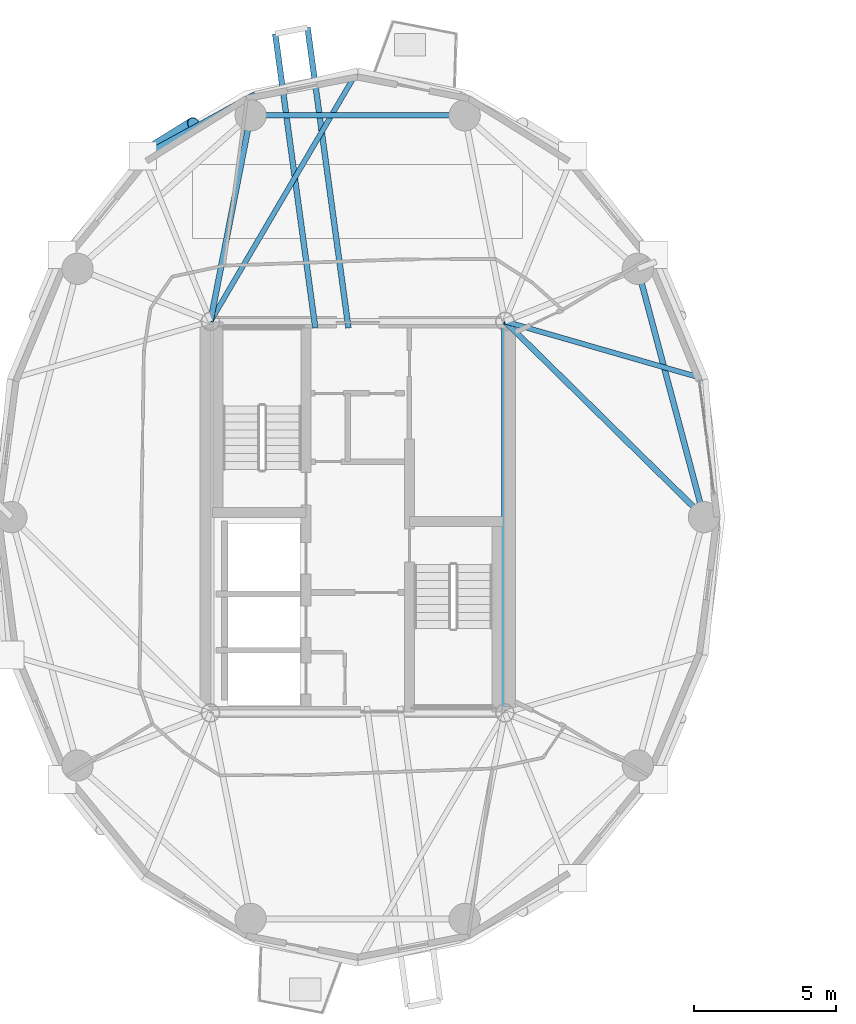
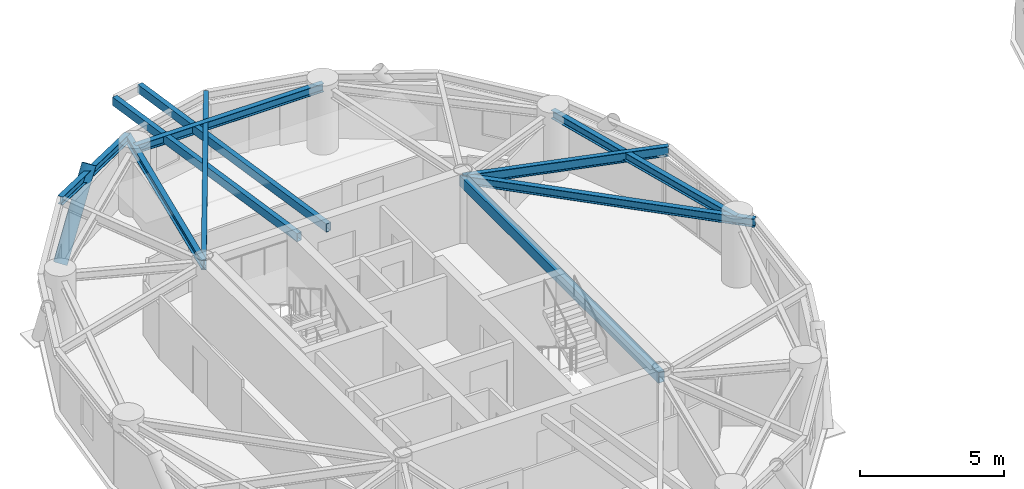
# One storey, part 2 of 16: 10 beams, 1 member.
"""IFC4 building model written with IfcOpenShell, lengths in metres."""

from ifc_helpers import new_model, si_unit, direction, frame, origin, origin_2d, place, context, subcontext, project, spatial, hollow_rectangle, hollow_circle, i_section, extrude, material, material_profile, profile_set, type_object, element, save


model = new_model("IFC4")

# Units and contexts
model_context = context("Model", 3, precision=1e-05, world=origin(), true_north=direction((0.0, 1.0)))
body_context = subcontext(model_context, "Body", "Model", "MODEL_VIEW")
ifc_project = project(units=[si_unit("LENGTHUNIT", "METRE"), si_unit("AREAUNIT", "SQUARE_METRE"), si_unit("VOLUMEUNIT", "CUBIC_METRE"), si_unit("PLANEANGLEUNIT", "RADIAN"), si_unit("MASSUNIT", "GRAM", prefix="KILO")], contexts=[model_context])

# Site, building, storey
site_placement = place(None, origin())
site = spatial("IfcSite", under=ifc_project, at=site_placement, CompositionType="ELEMENT")
building_placement = place(site_placement, origin())
building = spatial("IfcBuilding", under=site, at=building_placement, Name="Cununo Teusaquillo Station Towers", CompositionType="ELEMENT")
storey_placement = place(building_placement, frame((0.0, 0.0, 196.659912109375)))
storey = spatial("IfcBuildingStorey", under=building, at=storey_placement, Name="L62", CompositionType="ELEMENT", Elevation=196.659912109375)

# Beams
ifc_material_1 = material(Name="Steel EN 10025-2 S355J2", Category="steel")
ifc_material_profile_1 = material_profile(ifc_material_1, hollow_rectangle(XDim=0.199951171875, YDim=0.35009765625, WallThickness=0.013916015625, at=origin_2d()), Name="RHS 350x200x14")
ifc_profile_set_1 = profile_set([ifc_material_profile_1], Name="Steel EN 10025-2 S355J2")
beam_type_1 = type_object("IfcBeamType", Name="BM-BAL-CANT", PredefinedType="BEAM", material=ifc_profile_set_1)
beam_1_placement = place(storey_placement, frame((16.177001953125, 31.14990234375, 2.525146484375), z_axis=(-0.135006880627, 0.990844660975, 0.0), x_axis=(-0.990844660975, -0.135006880627, 0.0)))
element("IfcBeam", 1, at=beam_1_placement, inside=storey, type_object=beam_type_1, Name="L62 Tower A Balcony Cantilever Bracket 1A", PredefinedType="BEAM", context=body_context, shape_type="SweptSolid", body=[
    extrude(hollow_rectangle(XDim=0.199951171875, YDim=0.35009765625, WallThickness=0.013916015625, at=origin_2d()), origin(), (0.0, 0.0, 1.0), 10.65673828125),
])
beam_2_placement = place(storey_placement, frame((15.0107421875, 31.14990234375, 2.525146484375), z_axis=(-0.135018196505, 0.990843119072, 0.0), x_axis=(-0.990843119072, -0.135018196505, 0.0)))
element("IfcBeam", 2, at=beam_2_placement, inside=storey, type_object=beam_type_1, Name="L62 Tower A Balcony Cantilever Bracket 1B", PredefinedType="BEAM", context=body_context, shape_type="SweptSolid", body=[
    extrude(hollow_rectangle(XDim=0.199951171875, YDim=0.35009765625, WallThickness=0.013916015625, at=origin_2d()), origin(), (0.0, 0.0, 1.0), 10.43505859375),
])
ifc_material_2 = material(Name="Steel EN 10025-2 S355J2", Category="steel")
ifc_material_profile_2 = material_profile(ifc_material_2, hollow_rectangle(XDim=0.25, YDim=0.449951171875, WallThickness=0.01611328125, at=origin_2d()), Name="RHS 450x250x16")
ifc_profile_set_2 = profile_set([ifc_material_profile_2], Name="Steel EN 10025-2 S355J2")
beam_type_2 = type_object("IfcBeamType", Name="BM-COUP-1", PredefinedType="USERDEFINED", material=ifc_profile_set_2)
beam_3_placement = place(storey_placement, frame((21.675048828125, 17.6201171875, 2.47509765625), z_axis=(0.0, 1.0, 0.0), x_axis=(-1.0, 0.0, 0.0)))
element("IfcBeam", 3, at=beam_3_placement, inside=storey, type_object=beam_type_2, Name="L62 Tower A Core Beam 2", ObjectType="COUPLING BEAM", PredefinedType="USERDEFINED", context=body_context, shape_type="SweptSolid", body=[
    extrude(hollow_rectangle(XDim=0.25, YDim=0.449951171875, WallThickness=0.01611328125, at=origin_2d()), origin(), (0.0, 0.0, 1.0), 13.759765625),
])
ifc_material_3 = material(Name="Steel ASTM A572 Grade 50", Category="steel")
ifc_material_profile_3 = material_profile(ifc_material_3, i_section(OverallWidth=0.180908203125, OverallDepth=0.4169921875, WebThickness=0.010986328125, FlangeThickness=0.018310546875, FilletRadius=0.012939453125, at=origin_2d()), Name="W16X57")
ifc_profile_set_3 = profile_set([ifc_material_profile_3], Name="Steel ASTM A572 Grade 50")
beam_type_3 = type_object("IfcBeamType", Name="BM-JOIST-1", PredefinedType="JOIST", material=ifc_profile_set_3)
beam_4_placement = place(storey_placement, frame((21.675048828125, 31.3798828125, 2.49169921875), z_axis=(0.960861603375, -0.277028841748, 0.0), x_axis=(0.277028841748, 0.960861603375, 0.0)))
element("IfcBeam", 4, at=beam_4_placement, inside=storey, type_object=beam_type_3, Name="L62 Tower A Radial Spandrel Joist V01", PredefinedType="JOIST", context=body_context, shape_type="SweptSolid", body=[
    extrude(i_section(OverallWidth=0.180908203125, OverallDepth=0.4169921875, WebThickness=0.010986328125, FlangeThickness=0.018310546875, FilletRadius=0.012939453125, at=origin_2d()), origin(), (0.0, 0.0, 1.0), 7.333251953125),
])
beam_5_placement = place(storey_placement, frame((11.324951171875, 31.3798828125, 2.49169921875), z_axis=(0.506486432091, 0.862247930765, 0.0), x_axis=(-0.862247930765, 0.506486432091, 0.0)))
element("IfcBeam", 5, at=beam_5_placement, inside=storey, type_object=beam_type_3, Name="L62 Tower A Radial Spandrel Joist V05", PredefinedType="JOIST", context=body_context, shape_type="SweptSolid", body=[
    extrude(i_section(OverallWidth=0.180908203125, OverallDepth=0.4169921875, WebThickness=0.010986328125, FlangeThickness=0.018310546875, FilletRadius=0.012939453125, at=origin_2d()), origin(), (0.0, 0.0, 1.0), 10.217529296875),
])
ifc_material_4 = material(Name="Steel ASTM A572 Grade 50", Category="steel")
ifc_material_profile_4 = material_profile(ifc_material_4, i_section(OverallWidth=0.2041015625, OverallDepth=0.35009765625, WebThickness=0.008544921875, FlangeThickness=0.01513671875, FilletRadius=0.011962890625, at=origin_2d()), Name="W14X48")
ifc_profile_set_4 = profile_set([ifc_material_profile_4], Name="Steel ASTM A572 Grade 50")
beam_type_4 = type_object("IfcBeamType", Name="BM-RAD-G3", PredefinedType="BEAM", material=ifc_profile_set_4)
beam_6_placement = place(storey_placement, frame((21.675048828125, 31.3798828125, 2.525146484375), z_axis=(0.713043510712, -0.701119784225, 0.0), x_axis=(0.701119784225, 0.713043510712, 0.0)))
element("IfcBeam", 6, at=beam_6_placement, inside=storey, type_object=beam_type_4, Name="L62 Tower A Continuous Overhanging Radial Girder 01", PredefinedType="BEAM", context=body_context, shape_type="SweptSolid", body=[
    extrude(i_section(OverallWidth=0.2041015625, OverallDepth=0.35009765625, WebThickness=0.008544921875, FlangeThickness=0.01513671875, FilletRadius=0.011962890625, at=origin_2d()), origin(), (0.0, 0.0, 1.0), 10.462890625),
])
beam_7_placement = place(storey_placement, frame((11.324951171875, 31.3798828125, 2.525146484375), z_axis=(0.191548487699, 0.981483151593, 0.0), x_axis=(-0.981483151593, 0.191548487699, 0.0)))
element("IfcBeam", 7, at=beam_7_placement, inside=storey, type_object=beam_type_4, Name="L62 Tower A Continuous Overhanging Radial Girder 04", PredefinedType="BEAM", context=body_context, shape_type="SweptSolid", body=[
    extrude(i_section(OverallWidth=0.2041015625, OverallDepth=0.35009765625, WebThickness=0.008544921875, FlangeThickness=0.01513671875, FilletRadius=0.011962890625, at=origin_2d()), origin(), (0.0, 0.0, 1.0), 8.1240234375),
])
ifc_material_5 = material(Name="Steel ASTM A572 Grade 50", Category="steel")
ifc_material_profile_5 = material_profile(ifc_material_5, i_section(OverallWidth=0.2041015625, OverallDepth=0.35009765625, WebThickness=0.008544921875, FlangeThickness=0.01513671875, FilletRadius=0.011962890625, at=origin_2d()), Name="W14X48")
ifc_profile_set_5 = profile_set([ifc_material_profile_5], Name="Steel ASTM A572 Grade 50")
beam_type_5 = type_object("IfcBeamType", Name="BM-RING-Z4", PredefinedType="SPANDREL", material=ifc_profile_set_5)
beam_8_placement = place(storey_placement, frame((28.672119140625, 24.5, 2.525146484375), z_axis=(-0.257363196347, 0.966314744359, 0.0), x_axis=(-0.966314744359, -0.257363196347, 0.0)))
element("IfcBeam", 8, at=beam_8_placement, inside=storey, type_object=beam_type_5, Name="L62 Tower A Structural Column Ring Girder 01", PredefinedType="SPANDREL", context=body_context, shape_type="SweptSolid", body=[
    extrude(i_section(OverallWidth=0.2041015625, OverallDepth=0.35009765625, WebThickness=0.008544921875, FlangeThickness=0.01513671875, FilletRadius=0.011962890625, at=origin_2d()), origin(), (0.0, 0.0, 1.0), 9.03271484375),
])
beam_9_placement = place(storey_placement, frame((20.261474609375, 38.623291015625, 2.525146484375), z_axis=(-1.0, 0.0, 0.0), x_axis=(0.0, -1.0, 0.0)))
element("IfcBeam", 9, at=beam_9_placement, inside=storey, type_object=beam_type_5, Name="L62 Tower A Structural Column Ring Girder 03", PredefinedType="SPANDREL", context=body_context, shape_type="SweptSolid", body=[
    extrude(i_section(OverallWidth=0.2041015625, OverallDepth=0.35009765625, WebThickness=0.008544921875, FlangeThickness=0.01513671875, FilletRadius=0.011962890625, at=origin_2d()), origin(), (0.0, 0.0, 1.0), 7.52294921875),
])
beam_10_placement = place(storey_placement, frame((12.881103515625, 39.353515625, 2.525146484375), z_axis=(-0.876576300909, -0.481262910149, 0.0), x_axis=(0.481262910149, -0.876576300909, 0.0)))
element("IfcBeam", 10, at=beam_10_placement, inside=storey, type_object=beam_type_5, Name="L62 Tower A Spandrel Ring Beam 07", PredefinedType="SPANDREL", context=body_context, shape_type="SweptSolid", body=[
    extrude(i_section(OverallWidth=0.2041015625, OverallDepth=0.35009765625, WebThickness=0.008544921875, FlangeThickness=0.01513671875, FilletRadius=0.011962890625, at=origin_2d()), origin(), (0.0, 0.0, 1.0), 4.488037109375),
])

# Member
ifc_material_6 = material(Name="Steel EN 10025-2 S355J2", Category="steel")
ifc_material_profile_6 = material_profile(ifc_material_6, hollow_circle(Radius=0.25390625, WallThickness=0.01806640625, at=origin_2d()), Name="CHS 508x18")
ifc_profile_set_6 = profile_set([ifc_material_profile_6], Name="Steel EN 10025-2 S355J2")
member_type = type_object("IfcMemberType", Name="MBR-DIAG-Z4", PredefinedType="BRACE", material=ifc_profile_set_6)
member_placement = place(storey_placement, frame((8.947021484375, 37.193603515625, -0.139892578125), z_axis=(0.498333742466, 0.310032061152, 0.809656471708), x_axis=(-0.528249968439, 0.849088906325, 0.0)))
element("IfcMember", 11, at=member_placement, inside=storey, type_object=member_type, Name="L62 Tower A Folded-Zigzag Diagrid Tube C06", PredefinedType="BRACE", context=body_context, shape_type="SweptSolid", body=[
    extrude(hollow_circle(Radius=0.25390625, WallThickness=0.01806640625, at=origin_2d()), origin(), (0.0, 0.0, 1.0), 3.593994140625),
])

save(model, "model.ifc")
